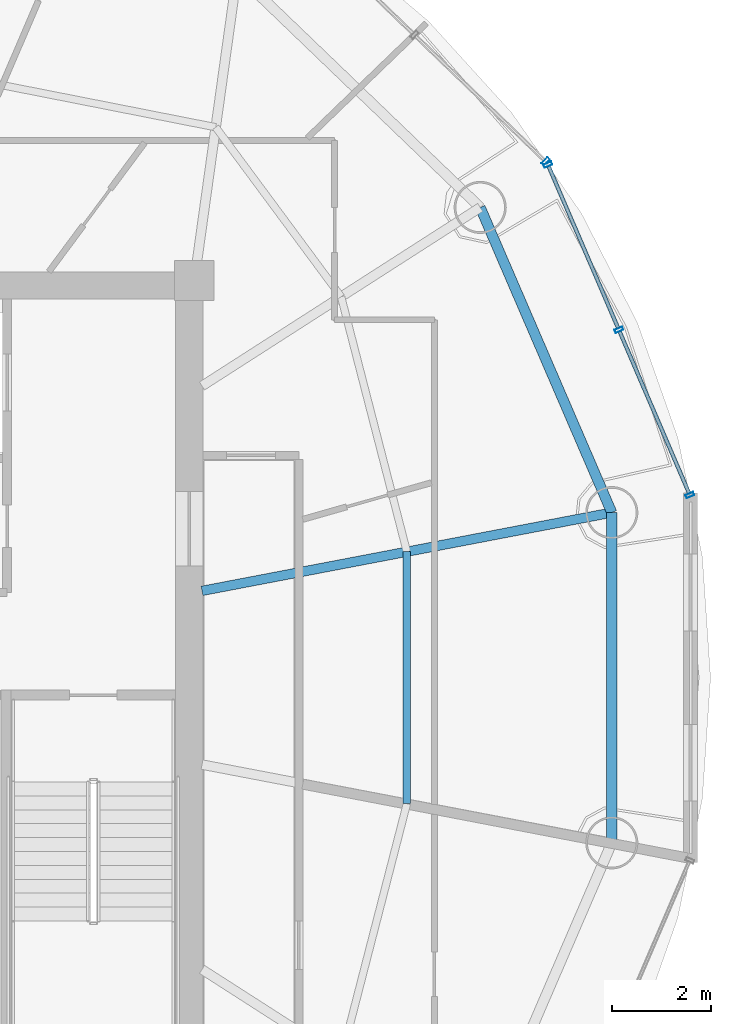
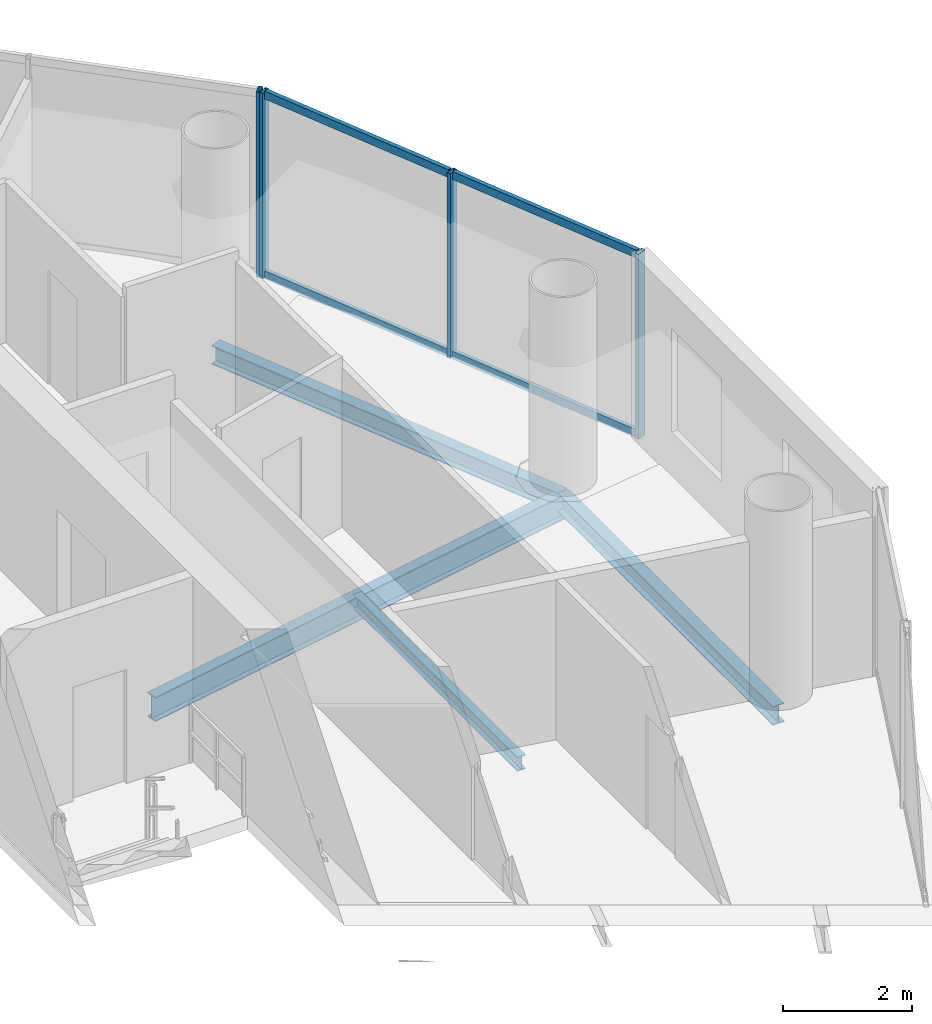
# One storey, part 11 of 23: 8 members, 4 beams, 2 elements without a shape of their own.
"""IFC4 building model written with IfcOpenShell, lengths in metres."""

from ifc_helpers import new_model, si_unit, direction, frame, origin, origin_2d, place, context, subcontext, project, spatial, hollow_rectangle, i_section, extrude, source, transform, mapped, material, material_profile, profile_set, type_object, element, aggregate, save


model = new_model("IFC4")

# Units and contexts
model_context = context("Model", 3, precision=1e-05, world=origin(), true_north=direction((-0.2419218956, 0.970295726276)))
body_context = subcontext(model_context, "Body", "Model", "MODEL_VIEW")
ifc_project = project(units=[si_unit("LENGTHUNIT", "METRE"), si_unit("AREAUNIT", "SQUARE_METRE"), si_unit("VOLUMEUNIT", "CUBIC_METRE"), si_unit("PLANEANGLEUNIT", "RADIAN"), si_unit("MASSUNIT", "GRAM", prefix="KILO")], contexts=[model_context])

# Site, building, storey
site_placement = place(None, origin())
site = spatial("IfcSite", under=ifc_project, at=site_placement, CompositionType="ELEMENT")
building_placement = place(site_placement, origin())
building = spatial("IfcBuilding", under=site, at=building_placement, Name="Cobrevalo Terracotta Tower", CompositionType="ELEMENT")
storey_placement = place(building_placement, frame((0.0, 0.0, 266.949951171875)))
storey = spatial("IfcBuildingStorey", under=building, at=storey_placement, Name="L70", CompositionType="ELEMENT", Elevation=266.949951171875)

# Beams
ifc_material_1 = material(Name="Steel S355", Category="steel")
ifc_material_profile_1 = material_profile(ifc_material_1, i_section(OverallWidth=0.19091796875, OverallDepth=0.4599609375, WebThickness=0.010009765625, FlangeThickness=0.01611328125, at=origin_2d()), Name="W 460x82")
ifc_profile_set_1 = profile_set([ifc_material_profile_1], Name="Steel S355")
beam_type_1 = type_object("IfcBeamType", Name="Structural Beam W 460x82 (Steel S355)", PredefinedType="BEAM", material=ifc_profile_set_1)
beam_1_placement = place(storey_placement, frame((55.408935546875, 30.126220703125, -0.489990234375), z_axis=(-0.982234917636, -0.187655446433, 0.0), x_axis=(0.187655446433, -0.982234917636, 0.0)))
element("IfcBeam", 1, at=beam_1_placement, inside=storey, type_object=beam_type_1, Name="L70 radial floor girder 01", PredefinedType="BEAM", context=body_context, shape_type="SweptSolid", body=[
    extrude(i_section(OverallWidth=0.19091796875, OverallDepth=0.4599609375, WebThickness=0.010009765625, FlangeThickness=0.01611328125, at=origin_2d()), origin(), (0.0, 0.0, 1.0), 8.403076171875),
])
ifc_material_profile_2 = material_profile(ifc_material_1, i_section(OverallWidth=0.14794921875, OverallDepth=0.26611328125, WebThickness=0.007568359375, FlangeThickness=0.012939453125, at=origin_2d()), Name="W 250x44.8")
ifc_profile_set_2 = profile_set([ifc_material_profile_2], Name="Steel S355")
beam_type_2 = type_object("IfcBeamType", Name="Structural Joist W 250x44.8 (Steel S355)", PredefinedType="JOIST", material=ifc_profile_set_2)
beam_2_placement = place(storey_placement, frame((51.281982421875, 24.26220703125, -0.39306640625), z_axis=(0.0, 1.0, 0.0), x_axis=(-1.0, 0.0, 0.0)))
element("IfcBeam", 2, at=beam_2_placement, inside=storey, type_object=beam_type_2, Name="L70 circumferential secondary floor joist 16", PredefinedType="JOIST", context=body_context, shape_type="SweptSolid", body=[
    extrude(i_section(OverallWidth=0.14794921875, OverallDepth=0.26611328125, WebThickness=0.007568359375, FlangeThickness=0.012939453125, at=origin_2d()), origin(), (0.0, 0.0, 1.0), 5.075439453125),
])
ifc_material_profile_3 = material_profile(ifc_material_1, i_section(OverallWidth=0.205078125, OverallDepth=0.35400390625, WebThickness=0.009521484375, FlangeThickness=0.016845703125, at=origin_2d()), Name="W 360x79")
ifc_profile_set_3 = profile_set([ifc_material_profile_3], Name="Steel S355")
beam_type_3 = type_object("IfcBeamType", Name="Structural Spandrel W 360x79 (Steel S355)", PredefinedType="SPANDREL", material=ifc_profile_set_3)
beam_3_placement = place(storey_placement, frame((55.408935546875, 30.126220703125, -0.43701171875), z_axis=(-0.395974127655, 0.918261667624, 0.0), x_axis=(-0.918261667624, -0.395974127655, 0.0)))
element("IfcBeam", 3, at=beam_3_placement, inside=storey, type_object=beam_type_3, Name="L70 perimeter ring spandrel 01", PredefinedType="SPANDREL", context=body_context, shape_type="SweptSolid", body=[
    extrude(i_section(OverallWidth=0.205078125, OverallDepth=0.35400390625, WebThickness=0.009521484375, FlangeThickness=0.016845703125, at=origin_2d()), origin(), (0.0, 0.0, 1.0), 6.693359375),
])
beam_4_placement = place(storey_placement, frame((55.408935546875, 23.4736328125, -0.43701171875), z_axis=(0.0, 1.0, 0.0), x_axis=(-1.0, 0.0, 0.0)))
element("IfcBeam", 4, at=beam_4_placement, inside=storey, type_object=beam_type_3, Name="L70 perimeter ring spandrel 16", PredefinedType="SPANDREL", context=body_context, shape_type="SweptSolid", body=[
    extrude(i_section(OverallWidth=0.205078125, OverallDepth=0.35400390625, WebThickness=0.009521484375, FlangeThickness=0.016845703125, at=origin_2d()), origin(), (0.0, 0.0, 1.0), 6.652587890625),
])

# Curtain wall, members
ifc_material_2 = material(Name="Anodized aluminium", Category="aluminium")
curtain_wall_type = type_object("IfcCurtainWallType", Name="Upper-tower triple-glazed penthouse curtain wall CW-U3", PredefinedType="NOTDEFINED", material=ifc_material_2)
curtain_wall_1_placement = place(storey_placement, origin())
curtain_wall_1 = element("IfcCurtainWall", 5, at=curtain_wall_1_placement, inside=storey, type_object=curtain_wall_type, Name="L70 curtain wall CW-L70-S01", PredefinedType="NOTDEFINED")
ifc_material_profile_4 = material_profile(ifc_material_2, hollow_rectangle(XDim=0.070068359375, YDim=0.169921875, WallThickness=0.00439453125, at=origin_2d()), Name="CWM 70x170")
ifc_profile_set_4 = profile_set([ifc_material_profile_4], Name="Anodized aluminium")
member_type_1 = type_object("IfcMemberType", Name="Upper tower unitised mullion 70x170", PredefinedType="MULLION", material=ifc_profile_set_4)
shared_shape_1 = source(origin(), body_context, "Body", "SweptSolid", [
    extrude(hollow_rectangle(XDim=0.070068359375, YDim=0.169921875, WallThickness=0.00439453125, at=origin_2d()), origin(), (0.0, 0.0, 1.0), 3.489990234375),
])
member_1_placement = place(storey_placement, frame((56.98193359375, 30.47900390625, 0.0), z_axis=(0.0, 0.0, 1.0), x_axis=(-0.39482403454, 0.91875675875, 0.0)))
member_1 = element("IfcMember", 6, at=member_1_placement, type_object=member_type_1, Name="CW-L70-S01 vertical mullion 01", PredefinedType="MULLION", context=body_context, shape_type="MappedRepresentation", body=[
    mapped(shared_shape_1, transform((0.0, 0.0, 0.0), scale=1.0)),
])
member_2_placement = place(storey_placement, frame((55.5517578125, 33.807373046875, 0.0), z_axis=(0.0, 0.0, 1.0), x_axis=(-0.39482403454, 0.91875675875, 0.0)))
member_2 = element("IfcMember", 7, at=member_2_placement, type_object=member_type_1, Name="CW-L70-S01 vertical mullion 02", PredefinedType="MULLION", context=body_context, shape_type="MappedRepresentation", body=[
    mapped(shared_shape_1, transform((0.0, 0.0, 0.0), scale=1.0)),
])
member_3_placement = place(storey_placement, frame((54.121337890625, 37.1357421875, 0.0), z_axis=(0.0, 0.0, 1.0), x_axis=(-0.39482403454, 0.91875675875, 0.0)))
member_3 = element("IfcMember", 8, at=member_3_placement, type_object=member_type_1, Name="CW-L70-S01 vertical mullion 03", PredefinedType="MULLION", context=body_context, shape_type="MappedRepresentation", body=[
    mapped(shared_shape_1, transform((0.0, 0.0, 0.0), scale=1.0)),
])

# Curtain wall, member
curtain_wall_2_placement = place(storey_placement, origin())
curtain_wall_2 = element("IfcCurtainWall", 9, at=curtain_wall_2_placement, inside=storey, type_object=curtain_wall_type, Name="L70 curtain wall CW-L70-S02", PredefinedType="NOTDEFINED")
member_4_placement = place(storey_placement, frame((54.07666015625, 37.2001953125, 0.0), z_axis=(0.0, 0.0, 1.0), x_axis=(-0.71999418085, 0.69398010025, 0.0)))
member_4 = element("IfcMember", 10, at=member_4_placement, type_object=member_type_1, Name="CW-L70-S02 vertical mullion 01", PredefinedType="MULLION", context=body_context, shape_type="MappedRepresentation", body=[
    mapped(shared_shape_1, transform((0.0, 0.0, 0.0), scale=1.0)),
])
aggregate(curtain_wall_2, [member_4])

# Member
ifc_material_profile_5 = material_profile(ifc_material_2, hollow_rectangle(XDim=0.074951171875, YDim=0.14990234375, WallThickness=0.00439453125, at=origin_2d()), Name="CWT 75x150")
ifc_profile_set_5 = profile_set([ifc_material_profile_5], Name="Anodized aluminium")
member_type_2 = type_object("IfcMemberType", Name="Tower unitised aluminium transom 75x150", PredefinedType="USERDEFINED", material=ifc_profile_set_5)
shared_shape_2 = source(origin(), body_context, "Body", "SweptSolid", [
    extrude(hollow_rectangle(XDim=0.074951171875, YDim=0.14990234375, WallThickness=0.00439453125, at=origin_2d()), origin(), (0.0, 0.0, 1.0), 3.54248046875),
])
member_5_placement = place(storey_placement, frame((55.535888671875, 33.84423828125, 0.050048828125), z_axis=(-0.394834055841, 0.918752452159, 0.0), x_axis=(-0.918752452159, -0.394834055841, 0.0)))
member_5 = element("IfcMember", 11, at=member_5_placement, type_object=member_type_2, Name="CW-L70-S01 transom B02-T1", ObjectType="TRANSOM", PredefinedType="USERDEFINED", context=body_context, shape_type="MappedRepresentation", body=[
    mapped(shared_shape_2, transform((0.0, 0.0, 0.0), scale=1.0)),
])

member_6_placement = place(storey_placement, frame((55.535888671875, 33.84423828125, 3.43994140625), z_axis=(-0.394834055841, 0.918752452159, 0.0), x_axis=(-0.918752452159, -0.394834055841, 0.0)))
member_6 = element("IfcMember", 12, at=member_6_placement, type_object=member_type_2, Name="CW-L70-S01 transom B02-T2", ObjectType="TRANSOM", PredefinedType="USERDEFINED", context=body_context, shape_type="MappedRepresentation", body=[
    mapped(shared_shape_2, transform((0.0, 0.0, 0.0), scale=1.0)),
])

shared_shape_3 = source(origin(), body_context, "Body", "SweptSolid", [
    extrude(hollow_rectangle(XDim=0.074951171875, YDim=0.14990234375, WallThickness=0.00439453125, at=origin_2d()), origin(), (0.0, 0.0, 1.0), 3.542724609375),
])
member_7_placement = place(storey_placement, frame((56.96630859375, 30.515869140625, 0.050048828125), z_axis=(-0.394867226589, 0.918738196314, 0.0), x_axis=(-0.918738196314, -0.394867226589, 0.0)))
member_7 = element("IfcMember", 13, at=member_7_placement, type_object=member_type_2, Name="CW-L70-S01 transom B01-T1", ObjectType="TRANSOM", PredefinedType="USERDEFINED", context=body_context, shape_type="MappedRepresentation", body=[
    mapped(shared_shape_3, transform((0.0, 0.0, 0.0), scale=1.0)),
])

member_8_placement = place(storey_placement, frame((56.96630859375, 30.515869140625, 3.43994140625), z_axis=(-0.394867226589, 0.918738196314, 0.0), x_axis=(-0.918738196314, -0.394867226589, 0.0)))
member_8 = element("IfcMember", 14, at=member_8_placement, type_object=member_type_2, Name="CW-L70-S01 transom B01-T2", ObjectType="TRANSOM", PredefinedType="USERDEFINED", context=body_context, shape_type="MappedRepresentation", body=[
    mapped(shared_shape_3, transform((0.0, 0.0, 0.0), scale=1.0)),
])

aggregate(curtain_wall_1, [member_1, member_2, member_3, member_7, member_8, member_5, member_6])

save(model, "model.ifc")
